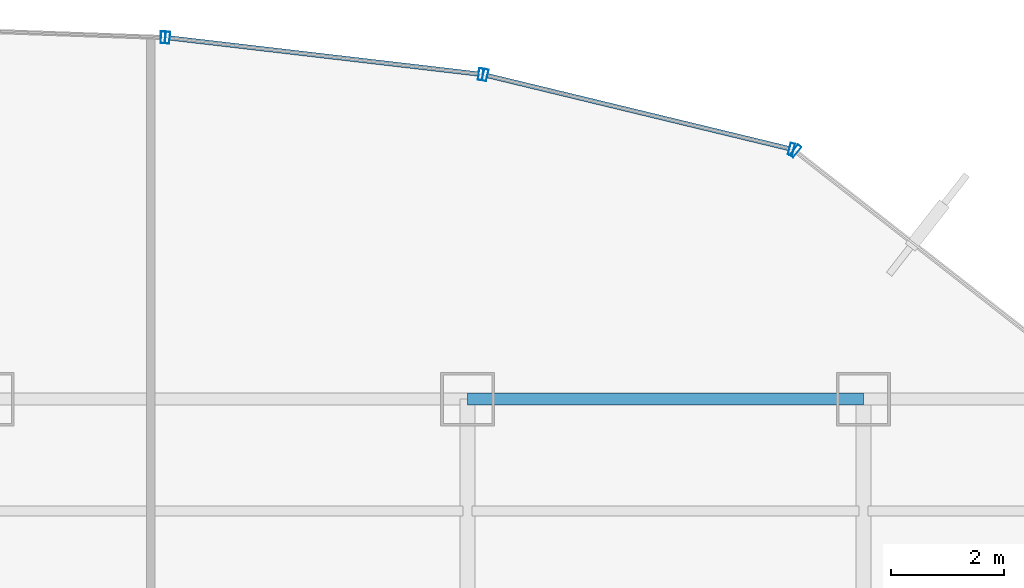
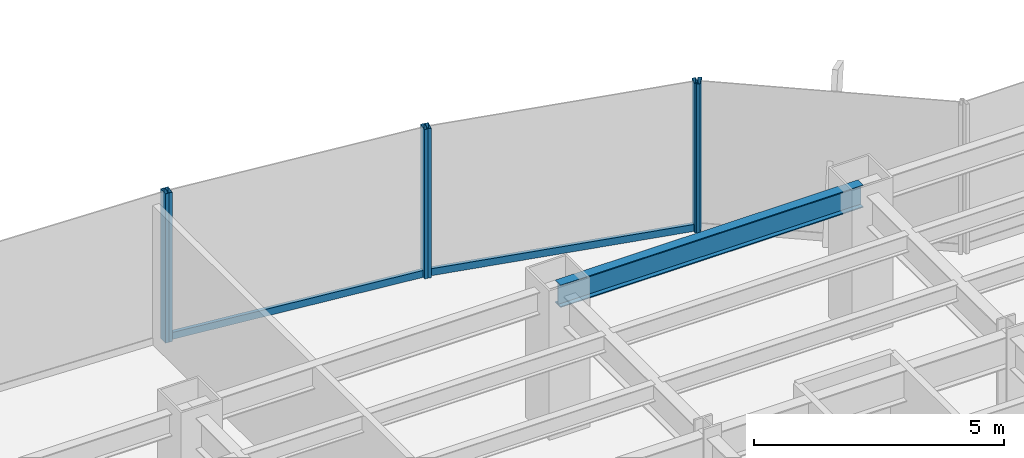
# One storey, part 15 of 23: 8 members, 1 beam, 4 elements without a shape of their own.
"""IFC4 building model written with IfcOpenShell, lengths in metres."""

from ifc_helpers import new_model, si_unit, derived_unit, direction, frame, origin, origin_2d, place, context, subcontext, project, spatial, hollow_rectangle, i_section, extrude, source, transform, mapped, material, material_profile, profile_set, type_object, element, aggregate, save


model = new_model("IFC4")

# Units and contexts
model_context = context("Model", 3, precision=1e-05, world=origin(), true_north=direction((0.0, 1.0)))
body_context = subcontext(model_context, "Body", "Model", "MODEL_VIEW")
ifc_project = project(units=[si_unit("LENGTHUNIT", "METRE"), si_unit("AREAUNIT", "SQUARE_METRE"), si_unit("VOLUMEUNIT", "CUBIC_METRE"), si_unit("PLANEANGLEUNIT", "RADIAN"), si_unit("MASSUNIT", "GRAM", prefix="KILO"), derived_unit("THERMALTRANSMITTANCEUNIT", [(si_unit("POWERUNIT", "WATT"), 1), (si_unit("LENGTHUNIT", "METRE"), -2), (si_unit("THERMODYNAMICTEMPERATUREUNIT", "KELVIN"), -1)])], contexts=[model_context])

# Site, building, storey
site_placement = place(None, origin())
site = spatial("IfcSite", under=ifc_project, at=site_placement, CompositionType="ELEMENT")
building_placement = place(site_placement, origin())
building = spatial("IfcBuilding", under=site, at=building_placement, Name="Skarnbrae Concourse Arena and Tower", CompositionType="ELEMENT")
storey_placement = place(building_placement, frame((0.0, 0.0, 50.75)))
storey = spatial("IfcBuildingStorey", under=building, at=storey_placement, Name="L11", CompositionType="ELEMENT", Elevation=50.75)

# Beam
ifc_material_1 = material(Name="Steel CSA G40.21 350W", Category="steel")
ifc_material_profile_1 = material_profile(ifc_material_1, i_section(OverallWidth=0.214111328125, OverallDepth=0.549072265625, WebThickness=0.0146484375, FlangeThickness=0.023681640625, at=origin_2d()), Name="W530X138")
ifc_profile_set_1 = profile_set([ifc_material_profile_1], Name="Steel CSA G40.21 350W")
beam_type = type_object("IfcBeamType", Name="BM-SPAN-W530X138", PredefinedType="SPANDREL", material=ifc_profile_set_1)
shared_shape_1 = source(origin(), body_context, "Body", "SweptSolid", [
    extrude(i_section(OverallWidth=0.214111328125, OverallDepth=0.549072265625, WebThickness=0.0146484375, FlangeThickness=0.023681640625, at=origin_2d()), origin(), (0.0, 0.0, 1.0), 7.0),
])
beam_placement = place(storey_placement, frame((42.0, 40.39990234375, 3.12548828125), z_axis=(1.0, 0.0, 0.0), x_axis=(0.0, 1.0, 0.0)))
element("IfcBeam", 1, at=beam_placement, inside=storey, type_object=beam_type, Name="L11 Perimeter spandrel Y40.4-6", PredefinedType="SPANDREL", context=body_context, shape_type="MappedRepresentation", body=[
    mapped(shared_shape_1, transform((0.0, 0.0, 0.0))),
])

# Curtain wall, member
ifc_material_2 = material(Name="Bronze anodised aluminium 6063-T6", Category="aluminium")
curtain_wall_type_1 = type_object("IfcCurtainWallType", Name="CW-SYS-02-LOWZONE", PredefinedType="USERDEFINED", material=ifc_material_2)
curtain_wall_1_placement = place(storey_placement, origin())
curtain_wall_1 = element("IfcCurtainWall", 2, at=curtain_wall_1_placement, inside=storey, type_object=curtain_wall_type_1, Name="L11 Unitised curtain wall CW-L11-E08", ObjectType="UNITISED CURTAIN WALL", PredefinedType="USERDEFINED")
ifc_material_profile_2 = material_profile(ifc_material_2, hollow_rectangle(XDim=0.080078125, YDim=0.239990234375, WallThickness=0.0048828125, at=origin_2d()), Name="ALU-MULL-80X240")
ifc_profile_set_2 = profile_set([ifc_material_profile_2], Name="Bronze anodised aluminium 6063-T6")
member_type_1 = type_object("IfcMemberType", Name="CWM-CW-02", PredefinedType="MULLION", material=ifc_profile_set_2)
shared_shape_2 = source(origin(), body_context, "Body", "SweptSolid", [
    extrude(hollow_rectangle(XDim=0.080078125, YDim=0.239990234375, WallThickness=0.0048828125, at=origin_2d()), origin(), (0.0, 0.0, 1.0), 3.64990234375),
])
member_1_placement = place(storey_placement, frame((47.7978515625, 44.787109375, 0.0), z_axis=(0.0, 0.0, 1.0), x_axis=(-0.787651726054, 0.616120733658, 0.0)))
member_1 = element("IfcMember", 3, at=member_1_placement, type_object=member_type_1, Name="CW-L11-E08 Mullion 2", PredefinedType="MULLION", context=body_context, shape_type="MappedRepresentation", body=[
    mapped(shared_shape_2, transform((0.0, 0.0, 0.0))),
])
aggregate(curtain_wall_1, [member_1])

curtain_wall_type_2 = type_object("IfcCurtainWallType", Name="CW-SYS-03-PORTAL", PredefinedType="USERDEFINED", material=ifc_material_2)
curtain_wall_2_placement = place(storey_placement, origin())
curtain_wall_2 = element("IfcCurtainWall", 4, at=curtain_wall_2_placement, inside=storey, type_object=curtain_wall_type_2, Name="L11 Unitised curtain wall CW-L11-E09", ObjectType="UNITISED CURTAIN WALL", PredefinedType="USERDEFINED")
ifc_material_profile_3 = material_profile(ifc_material_2, hollow_rectangle(XDim=0.080078125, YDim=0.169921875, WallThickness=0.00439453125, at=origin_2d()), Name="ALU-TRAN-80X170")
ifc_profile_set_3 = profile_set([ifc_material_profile_3], Name="Bronze anodised aluminium 6063-T6")
member_type_2 = type_object("IfcMemberType", Name="CWT-CW-03", PredefinedType="USERDEFINED", material=ifc_profile_set_3)
shared_shape_3 = source(origin(), body_context, "Body", "SweptSolid", [
    extrude(hollow_rectangle(XDim=0.080078125, YDim=0.169921875, WallThickness=0.00439453125, at=origin_2d()), origin(), (0.0, 0.0, 1.0), 5.4921875),
])
member_2_placement = place(storey_placement, frame((47.6884765625, 44.83056640625, 0.0849609375), z_axis=(-0.971980728004, 0.235060554728, 0.0), x_axis=(-0.235060554728, -0.971980728004, 0.0)))
member_2 = element("IfcMember", 5, at=member_2_placement, type_object=member_type_2, Name="CW-L11-E09 Transom 1", ObjectType="TRANSOM", PredefinedType="USERDEFINED", context=body_context, shape_type="MappedRepresentation", body=[
    mapped(shared_shape_3, transform((0.0, 0.0, 0.0))),
])

curtain_wall_3_placement = place(storey_placement, origin())
curtain_wall_3 = element("IfcCurtainWall", 6, at=curtain_wall_3_placement, inside=storey, type_object=curtain_wall_type_2, Name="L11 Unitised curtain wall CW-L11-E10", ObjectType="UNITISED CURTAIN WALL", PredefinedType="USERDEFINED")
shared_shape_4 = source(origin(), body_context, "Body", "SweptSolid", [
    extrude(hollow_rectangle(XDim=0.080078125, YDim=0.169921875, WallThickness=0.00439453125, at=origin_2d()), origin(), (0.0, 0.0, 1.0), 5.49658203125),
])
member_3_placement = place(storey_placement, frame((42.19287109375, 46.14990234375, 0.0849609375), z_axis=(-0.993247281455, 0.116016541417, 0.0), x_axis=(-0.116016541417, -0.993247281455, 0.0)))
member_3 = element("IfcMember", 7, at=member_3_placement, type_object=member_type_2, Name="CW-L11-E10 Transom 1", ObjectType="TRANSOM", PredefinedType="USERDEFINED", context=body_context, shape_type="MappedRepresentation", body=[
    mapped(shared_shape_4, transform((0.0, 0.0, 0.0))),
])

# Member
ifc_material_profile_4 = material_profile(ifc_material_2, hollow_rectangle(XDim=0.080078125, YDim=0.2099609375, WallThickness=0.00439453125, at=origin_2d()), Name="ALU-MULL-80X210")
ifc_profile_set_4 = profile_set([ifc_material_profile_4], Name="Bronze anodised aluminium 6063-T6")
member_type_3 = type_object("IfcMemberType", Name="CWM-CW-03", PredefinedType="MULLION", material=ifc_profile_set_4)
shared_shape_5 = source(origin(), body_context, "Body", "SweptSolid", [
    extrude(hollow_rectangle(XDim=0.080078125, YDim=0.2099609375, WallThickness=0.00439453125, at=origin_2d()), origin(), (0.0, 0.0, 1.0), 3.64990234375),
])
member_4_placement = place(storey_placement, frame((47.727294921875, 44.821044921875, 0.0), z_axis=(0.0, 0.0, 1.0), x_axis=(-0.971973721569, 0.235089524607, 0.0)))
member_4 = element("IfcMember", 8, at=member_4_placement, type_object=member_type_3, Name="CW-L11-E09 Mullion 1", PredefinedType="MULLION", context=body_context, shape_type="MappedRepresentation", body=[
    mapped(shared_shape_5, transform((0.0, 0.0, 0.0))),
])

member_5_placement = place(storey_placement, frame((42.311279296875, 46.131103515625, 0.0), z_axis=(0.0, 0.0, 1.0), x_axis=(-0.971973721569, 0.235089524607, 0.0)))
member_5 = element("IfcMember", 9, at=member_5_placement, type_object=member_type_3, Name="CW-L11-E09 Mullion 2", PredefinedType="MULLION", context=body_context, shape_type="MappedRepresentation", body=[
    mapped(shared_shape_5, transform((0.0, 0.0, 0.0))),
])

aggregate(curtain_wall_2, [member_4, member_5, member_2])

member_6_placement = place(storey_placement, frame((42.232666015625, 46.14501953125, 0.0), z_axis=(0.0, 0.0, 1.0), x_axis=(-0.99324457001, 0.116039752435, 0.0)))
member_6 = element("IfcMember", 10, at=member_6_placement, type_object=member_type_3, Name="CW-L11-E10 Mullion 1", PredefinedType="MULLION", context=body_context, shape_type="MappedRepresentation", body=[
    mapped(shared_shape_5, transform((0.0, 0.0, 0.0))),
])

member_7_placement = place(storey_placement, frame((36.693603515625, 46.792236328125, 0.0), z_axis=(0.0, 0.0, 1.0), x_axis=(-0.99324457001, 0.116039752435, 0.0)))
member_7 = element("IfcMember", 11, at=member_7_placement, type_object=member_type_3, Name="CW-L11-E10 Mullion 2", PredefinedType="MULLION", context=body_context, shape_type="MappedRepresentation", body=[
    mapped(shared_shape_5, transform((0.0, 0.0, 0.0))),
])

aggregate(curtain_wall_3, [member_6, member_7, member_3])

# Curtain wall, member
curtain_wall_4_placement = place(storey_placement, origin())
curtain_wall_4 = element("IfcCurtainWall", 12, at=curtain_wall_4_placement, inside=storey, type_object=curtain_wall_type_2, Name="L11 Unitised curtain wall CW-L11-E11", ObjectType="UNITISED CURTAIN WALL", PredefinedType="USERDEFINED")
member_8_placement = place(storey_placement, frame((36.614013671875, 46.79833984375, 0.0), z_axis=(0.0, 0.0, 1.0), x_axis=(-0.999355425188, 0.035898943527, 0.0)))
member_8 = element("IfcMember", 13, at=member_8_placement, type_object=member_type_3, Name="CW-L11-E11 Mullion 1", PredefinedType="MULLION", context=body_context, shape_type="MappedRepresentation", body=[
    mapped(shared_shape_5, transform((0.0, 0.0, 0.0))),
])
aggregate(curtain_wall_4, [member_8])

save(model, "model.ifc")
